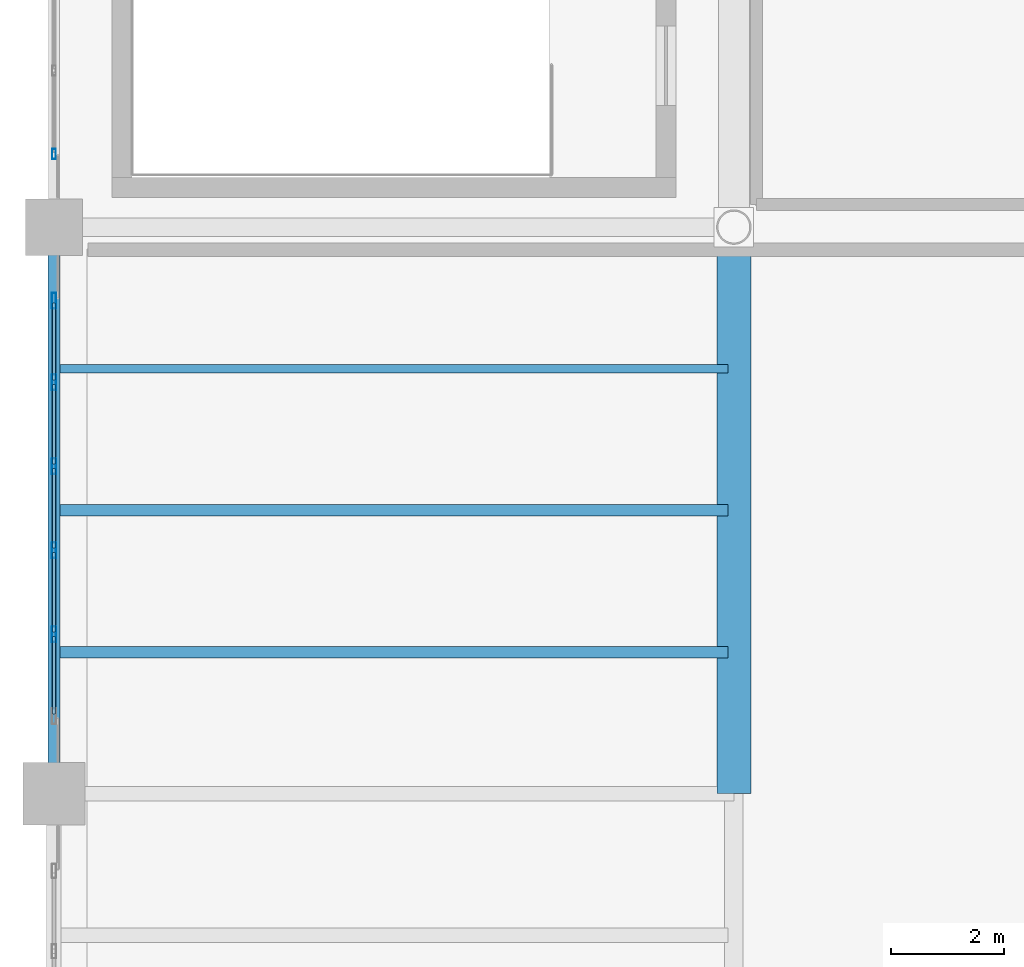
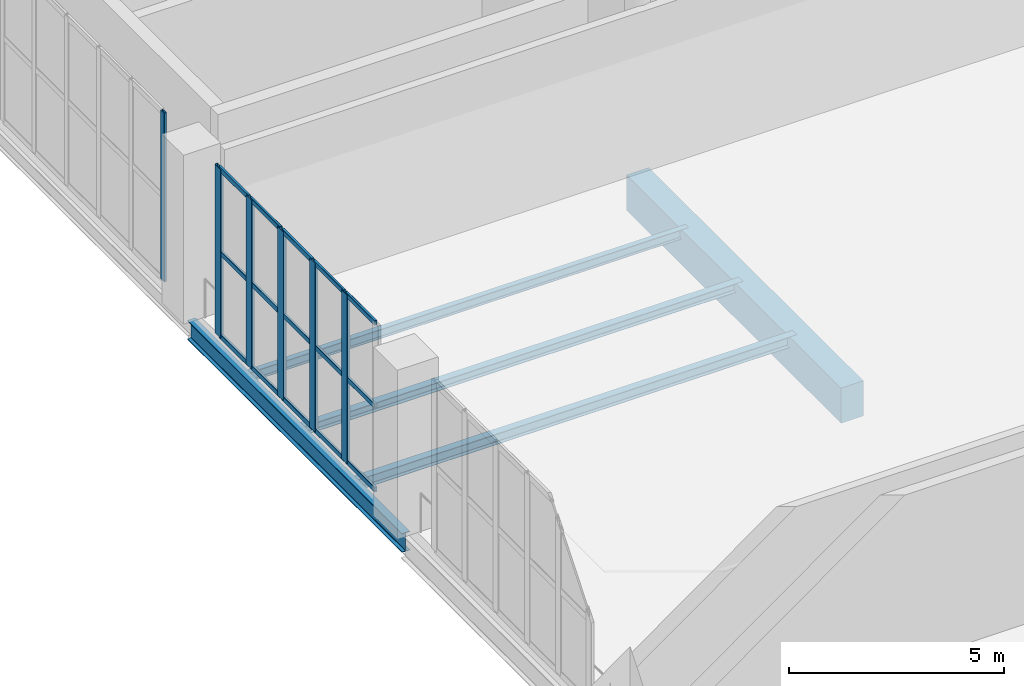
# One storey, part 19 of 49: 21 members, 5 beams, 2 elements without a shape of their own.
"""IFC4 building model written with IfcOpenShell, lengths in metres."""

from ifc_helpers import new_model, si_unit, direction, frame, origin, origin_2d, place, context, subcontext, project, spatial, rectangle, hollow_rectangle, i_section, extrude, material, layer, layer_set, material_profile, profile_set, type_object, element, aggregate, save


model = new_model("IFC4")

# Units and contexts
model_context = context("Model", 3, precision=1e-05, world=origin(), true_north=direction((0.0, 1.0)))
body_context = subcontext(model_context, "Body", "Model", "MODEL_VIEW")
ifc_project = project(units=[si_unit("LENGTHUNIT", "METRE"), si_unit("AREAUNIT", "SQUARE_METRE"), si_unit("VOLUMEUNIT", "CUBIC_METRE"), si_unit("PLANEANGLEUNIT", "RADIAN"), si_unit("MASSUNIT", "GRAM", prefix="KILO")], contexts=[model_context])

# Site, building, storey
site_placement = place(None, origin())
site = spatial("IfcSite", under=ifc_project, at=site_placement, CompositionType="ELEMENT")
building_placement = place(site_placement, origin())
building = spatial("IfcBuilding", under=site, at=building_placement, Name="Brinegate Civic Arena", CompositionType="ELEMENT")
storey_placement = place(building_placement, frame((0.0, 0.0, 24.60009765625)))
storey = spatial("IfcBuildingStorey", under=building, at=storey_placement, Name="L05", CompositionType="ELEMENT", Elevation=24.60009765625)

# Curtain wall, member
ifc_material_1 = material(Name="Marine grade aluminium", Category="aluminium")
ifc_layer = layer(ifc_material_1, 0.199951171875, Name="Marine grade aluminium")
ifc_layer_set = layer_set([ifc_layer], Name="Marine grade aluminium")
curtain_wall_type = type_object("IfcCurtainWallType", Name="CW-BOWL-GLAZED-01", PredefinedType="USERDEFINED", material=ifc_layer_set)
curtain_wall_1_placement = place(storey_placement, origin())
curtain_wall_1 = element("IfcCurtainWall", 1, at=curtain_wall_1_placement, inside=storey, type_object=curtain_wall_type, Name="Curtain Wall CWA-160", ObjectType="GLAZED CURTAIN WALL", PredefinedType="USERDEFINED")
ifc_material_profile_1 = material_profile(ifc_material_1, hollow_rectangle(XDim=0.06494140625, YDim=0.179931640625, WallThickness=0.0048828125, InnerFilletRadius=0.00390625, OuterFilletRadius=0.008056640625, at=origin_2d()), Name="MUL65X180")
ifc_profile_set_1 = profile_set([ifc_material_profile_1], Name="Marine grade aluminium")
member_type_1 = type_object("IfcMemberType", Name="CW-MULLION-65X180", PredefinedType="MULLION", material=ifc_profile_set_1)
member_1_placement = place(storey_placement, frame((48.0, 73.28955078125, 0.0), z_axis=(0.0, 0.0, 1.0), x_axis=(-1.0, 0.0, 0.0)))
member_1 = element("IfcMember", 2, at=member_1_placement, type_object=member_type_1, Name="CWA-160 mullion 1", PredefinedType="MULLION", context=body_context, shape_type="SweptSolid", body=[
    extrude(hollow_rectangle(XDim=0.06494140625, YDim=0.179931640625, WallThickness=0.0048828125, InnerFilletRadius=0.00390625, OuterFilletRadius=0.008056640625, at=origin_2d()), origin(), (0.0, 0.0, 1.0), 4.7998046875),
])
aggregate(curtain_wall_1, [member_1])

# Curtain wall, members
curtain_wall_2_placement = place(storey_placement, origin())
curtain_wall_2 = element("IfcCurtainWall", 3, at=curtain_wall_2_placement, inside=storey, type_object=curtain_wall_type, Name="Curtain Wall CWA-159", ObjectType="GLAZED CURTAIN WALL", PredefinedType="USERDEFINED")
ifc_material_profile_2 = material_profile(ifc_material_1, hollow_rectangle(XDim=0.080078125, YDim=0.280029296875, WallThickness=0.007080078125, InnerFilletRadius=0.0048828125, OuterFilletRadius=0.010009765625, at=origin_2d()), Name="MUL80X280")
ifc_profile_set_2 = profile_set([ifc_material_profile_2], Name="Marine grade aluminium")
member_type_2 = type_object("IfcMemberType", Name="CW-MULLION-80X280", PredefinedType="MULLION", material=ifc_profile_set_2)
member_2_placement = place(storey_placement, frame((48.0, 64.81103515625, 0.0), z_axis=(0.0, 0.0, 1.0), x_axis=(-1.0, 0.0, 0.0)))
member_2 = element("IfcMember", 4, at=member_2_placement, type_object=member_type_2, Name="CWA-159 mullion 2", PredefinedType="MULLION", context=body_context, shape_type="SweptSolid", body=[
    extrude(hollow_rectangle(XDim=0.080078125, YDim=0.280029296875, WallThickness=0.007080078125, InnerFilletRadius=0.0048828125, OuterFilletRadius=0.010009765625, at=origin_2d()), origin(), (0.0, 0.0, 1.0), 4.7998046875),
])
member_3_placement = place(storey_placement, frame((48.0, 66.2939453125, 0.0), z_axis=(0.0, 0.0, 1.0), x_axis=(-1.0, 0.0, 0.0)))
member_3 = element("IfcMember", 5, at=member_3_placement, type_object=member_type_2, Name="CWA-159 mullion 3", PredefinedType="MULLION", context=body_context, shape_type="SweptSolid", body=[
    extrude(hollow_rectangle(XDim=0.080078125, YDim=0.280029296875, WallThickness=0.007080078125, InnerFilletRadius=0.0048828125, OuterFilletRadius=0.010009765625, at=origin_2d()), origin(), (0.0, 0.0, 1.0), 4.7998046875),
])
member_4_placement = place(storey_placement, frame((48.0, 67.777099609375, 0.0), z_axis=(0.0, 0.0, 1.0), x_axis=(-1.0, 0.0, 0.0)))
member_4 = element("IfcMember", 6, at=member_4_placement, type_object=member_type_2, Name="CWA-159 mullion 4", PredefinedType="MULLION", context=body_context, shape_type="SweptSolid", body=[
    extrude(hollow_rectangle(XDim=0.080078125, YDim=0.280029296875, WallThickness=0.007080078125, InnerFilletRadius=0.0048828125, OuterFilletRadius=0.010009765625, at=origin_2d()), origin(), (0.0, 0.0, 1.0), 4.7998046875),
])
member_5_placement = place(storey_placement, frame((48.0, 69.260009765625, 0.0), z_axis=(0.0, 0.0, 1.0), x_axis=(-1.0, 0.0, 0.0)))
member_5 = element("IfcMember", 7, at=member_5_placement, type_object=member_type_2, Name="CWA-159 mullion 5", PredefinedType="MULLION", context=body_context, shape_type="SweptSolid", body=[
    extrude(hollow_rectangle(XDim=0.080078125, YDim=0.280029296875, WallThickness=0.007080078125, InnerFilletRadius=0.0048828125, OuterFilletRadius=0.010009765625, at=origin_2d()), origin(), (0.0, 0.0, 1.0), 4.7998046875),
])
member_6_placement = place(storey_placement, frame((48.0, 70.702880859375, 0.0), z_axis=(0.0, 0.0, 1.0), x_axis=(-1.0, 0.0, 0.0)))
member_6 = element("IfcMember", 8, at=member_6_placement, type_object=member_type_2, Name="CWA-159 mullion 6", PredefinedType="MULLION", context=body_context, shape_type="SweptSolid", body=[
    extrude(hollow_rectangle(XDim=0.080078125, YDim=0.280029296875, WallThickness=0.007080078125, InnerFilletRadius=0.0048828125, OuterFilletRadius=0.010009765625, at=origin_2d()), origin(), (0.0, 0.0, 1.0), 4.7998046875),
])
ifc_material_profile_3 = material_profile(ifc_material_1, hollow_rectangle(XDim=0.06494140625, YDim=0.139892578125, WallThickness=0.0048828125, InnerFilletRadius=0.00390625, OuterFilletRadius=0.008056640625, at=origin_2d()), Name="TRN65X140")
ifc_profile_set_3 = profile_set([ifc_material_profile_3], Name="Marine grade aluminium")
member_type_3 = type_object("IfcMemberType", Name="CW-TRANSOM-65X140", PredefinedType="USERDEFINED", material=ifc_profile_set_3)
member_7_placement = place(storey_placement, frame((48.0, 63.407958984375, 0.032470703125), z_axis=(0.0, 1.0, 0.0), x_axis=(-1.0, 0.0, 0.0)))
member_7 = element("IfcMember", 9, at=member_7_placement, type_object=member_type_3, Name="CWA-159 transom 1.1", ObjectType="TRANSOM", PredefinedType="USERDEFINED", context=body_context, shape_type="SweptSolid", body=[
    extrude(hollow_rectangle(XDim=0.06494140625, YDim=0.139892578125, WallThickness=0.0048828125, InnerFilletRadius=0.00390625, OuterFilletRadius=0.008056640625, at=origin_2d()), origin(), (0.0, 0.0, 1.0), 1.363037109375),
])
member_8_placement = place(storey_placement, frame((48.0, 63.407958984375, 2.39990234375), z_axis=(0.0, 1.0, 0.0), x_axis=(-1.0, 0.0, 0.0)))
member_8 = element("IfcMember", 10, at=member_8_placement, type_object=member_type_3, Name="CWA-159 transom 1.2", ObjectType="TRANSOM", PredefinedType="USERDEFINED", context=body_context, shape_type="SweptSolid", body=[
    extrude(hollow_rectangle(XDim=0.06494140625, YDim=0.139892578125, WallThickness=0.0048828125, InnerFilletRadius=0.00390625, OuterFilletRadius=0.008056640625, at=origin_2d()), origin(), (0.0, 0.0, 1.0), 1.363037109375),
])
member_9_placement = place(storey_placement, frame((48.0, 63.407958984375, 4.767333984375), z_axis=(0.0, 1.0, 0.0), x_axis=(-1.0, 0.0, 0.0)))
member_9 = element("IfcMember", 11, at=member_9_placement, type_object=member_type_3, Name="CWA-159 transom 1.3", ObjectType="TRANSOM", PredefinedType="USERDEFINED", context=body_context, shape_type="SweptSolid", body=[
    extrude(hollow_rectangle(XDim=0.06494140625, YDim=0.139892578125, WallThickness=0.0048828125, InnerFilletRadius=0.00390625, OuterFilletRadius=0.008056640625, at=origin_2d()), origin(), (0.0, 0.0, 1.0), 1.363037109375),
])
member_10_placement = place(storey_placement, frame((48.0, 64.85107421875, 0.032470703125), z_axis=(0.0, 1.0, 0.0), x_axis=(-1.0, 0.0, 0.0)))
member_10 = element("IfcMember", 12, at=member_10_placement, type_object=member_type_3, Name="CWA-159 transom 2.1", ObjectType="TRANSOM", PredefinedType="USERDEFINED", context=body_context, shape_type="SweptSolid", body=[
    extrude(hollow_rectangle(XDim=0.06494140625, YDim=0.139892578125, WallThickness=0.0048828125, InnerFilletRadius=0.00390625, OuterFilletRadius=0.008056640625, at=origin_2d()), origin(), (0.0, 0.0, 1.0), 1.40283203125),
])
member_11_placement = place(storey_placement, frame((48.0, 64.85107421875, 2.39990234375), z_axis=(0.0, 1.0, 0.0), x_axis=(-1.0, 0.0, 0.0)))
member_11 = element("IfcMember", 13, at=member_11_placement, type_object=member_type_3, Name="CWA-159 transom 2.2", ObjectType="TRANSOM", PredefinedType="USERDEFINED", context=body_context, shape_type="SweptSolid", body=[
    extrude(hollow_rectangle(XDim=0.06494140625, YDim=0.139892578125, WallThickness=0.0048828125, InnerFilletRadius=0.00390625, OuterFilletRadius=0.008056640625, at=origin_2d()), origin(), (0.0, 0.0, 1.0), 1.40283203125),
])
member_12_placement = place(storey_placement, frame((48.0, 64.85107421875, 4.767333984375), z_axis=(0.0, 1.0, 0.0), x_axis=(-1.0, 0.0, 0.0)))
member_12 = element("IfcMember", 14, at=member_12_placement, type_object=member_type_3, Name="CWA-159 transom 2.3", ObjectType="TRANSOM", PredefinedType="USERDEFINED", context=body_context, shape_type="SweptSolid", body=[
    extrude(hollow_rectangle(XDim=0.06494140625, YDim=0.139892578125, WallThickness=0.0048828125, InnerFilletRadius=0.00390625, OuterFilletRadius=0.008056640625, at=origin_2d()), origin(), (0.0, 0.0, 1.0), 1.40283203125),
])
member_13_placement = place(storey_placement, frame((48.0, 66.333984375, 0.032470703125), z_axis=(0.0, 1.0, 0.0), x_axis=(-1.0, 0.0, 0.0)))
member_13 = element("IfcMember", 15, at=member_13_placement, type_object=member_type_3, Name="CWA-159 transom 3.1", ObjectType="TRANSOM", PredefinedType="USERDEFINED", context=body_context, shape_type="SweptSolid", body=[
    extrude(hollow_rectangle(XDim=0.06494140625, YDim=0.139892578125, WallThickness=0.0048828125, InnerFilletRadius=0.00390625, OuterFilletRadius=0.008056640625, at=origin_2d()), origin(), (0.0, 0.0, 1.0), 1.403076171875),
])
member_14_placement = place(storey_placement, frame((48.0, 66.333984375, 2.39990234375), z_axis=(0.0, 1.0, 0.0), x_axis=(-1.0, 0.0, 0.0)))
member_14 = element("IfcMember", 16, at=member_14_placement, type_object=member_type_3, Name="CWA-159 transom 3.2", ObjectType="TRANSOM", PredefinedType="USERDEFINED", context=body_context, shape_type="SweptSolid", body=[
    extrude(hollow_rectangle(XDim=0.06494140625, YDim=0.139892578125, WallThickness=0.0048828125, InnerFilletRadius=0.00390625, OuterFilletRadius=0.008056640625, at=origin_2d()), origin(), (0.0, 0.0, 1.0), 1.403076171875),
])
member_15_placement = place(storey_placement, frame((48.0, 66.333984375, 4.767333984375), z_axis=(0.0, 1.0, 0.0), x_axis=(-1.0, 0.0, 0.0)))
member_15 = element("IfcMember", 17, at=member_15_placement, type_object=member_type_3, Name="CWA-159 transom 3.3", ObjectType="TRANSOM", PredefinedType="USERDEFINED", context=body_context, shape_type="SweptSolid", body=[
    extrude(hollow_rectangle(XDim=0.06494140625, YDim=0.139892578125, WallThickness=0.0048828125, InnerFilletRadius=0.00390625, OuterFilletRadius=0.008056640625, at=origin_2d()), origin(), (0.0, 0.0, 1.0), 1.403076171875),
])
member_16_placement = place(storey_placement, frame((48.0, 67.81689453125, 0.032470703125), z_axis=(0.0, 1.0, 0.0), x_axis=(-1.0, 0.0, 0.0)))
member_16 = element("IfcMember", 18, at=member_16_placement, type_object=member_type_3, Name="CWA-159 transom 4.1", ObjectType="TRANSOM", PredefinedType="USERDEFINED", context=body_context, shape_type="SweptSolid", body=[
    extrude(hollow_rectangle(XDim=0.06494140625, YDim=0.139892578125, WallThickness=0.0048828125, InnerFilletRadius=0.00390625, OuterFilletRadius=0.008056640625, at=origin_2d()), origin(), (0.0, 0.0, 1.0), 1.403076171875),
])
member_17_placement = place(storey_placement, frame((48.0, 67.81689453125, 2.39990234375), z_axis=(0.0, 1.0, 0.0), x_axis=(-1.0, 0.0, 0.0)))
member_17 = element("IfcMember", 19, at=member_17_placement, type_object=member_type_3, Name="CWA-159 transom 4.2", ObjectType="TRANSOM", PredefinedType="USERDEFINED", context=body_context, shape_type="SweptSolid", body=[
    extrude(hollow_rectangle(XDim=0.06494140625, YDim=0.139892578125, WallThickness=0.0048828125, InnerFilletRadius=0.00390625, OuterFilletRadius=0.008056640625, at=origin_2d()), origin(), (0.0, 0.0, 1.0), 1.403076171875),
])
member_18_placement = place(storey_placement, frame((48.0, 67.81689453125, 4.767333984375), z_axis=(0.0, 1.0, 0.0), x_axis=(-1.0, 0.0, 0.0)))
member_18 = element("IfcMember", 20, at=member_18_placement, type_object=member_type_3, Name="CWA-159 transom 4.3", ObjectType="TRANSOM", PredefinedType="USERDEFINED", context=body_context, shape_type="SweptSolid", body=[
    extrude(hollow_rectangle(XDim=0.06494140625, YDim=0.139892578125, WallThickness=0.0048828125, InnerFilletRadius=0.00390625, OuterFilletRadius=0.008056640625, at=origin_2d()), origin(), (0.0, 0.0, 1.0), 1.403076171875),
])
member_19_placement = place(storey_placement, frame((48.0, 69.300048828125, 0.032470703125), z_axis=(0.0, 1.0, 0.0), x_axis=(-1.0, 0.0, 0.0)))
member_19 = element("IfcMember", 21, at=member_19_placement, type_object=member_type_3, Name="CWA-159 transom 5.1", ObjectType="TRANSOM", PredefinedType="USERDEFINED", context=body_context, shape_type="SweptSolid", body=[
    extrude(hollow_rectangle(XDim=0.06494140625, YDim=0.139892578125, WallThickness=0.0048828125, InnerFilletRadius=0.00390625, OuterFilletRadius=0.008056640625, at=origin_2d()), origin(), (0.0, 0.0, 1.0), 1.363037109375),
])
member_20_placement = place(storey_placement, frame((48.0, 69.300048828125, 2.39990234375), z_axis=(0.0, 1.0, 0.0), x_axis=(-1.0, 0.0, 0.0)))
member_20 = element("IfcMember", 22, at=member_20_placement, type_object=member_type_3, Name="CWA-159 transom 5.2", ObjectType="TRANSOM", PredefinedType="USERDEFINED", context=body_context, shape_type="SweptSolid", body=[
    extrude(hollow_rectangle(XDim=0.06494140625, YDim=0.139892578125, WallThickness=0.0048828125, InnerFilletRadius=0.00390625, OuterFilletRadius=0.008056640625, at=origin_2d()), origin(), (0.0, 0.0, 1.0), 1.363037109375),
])
member_21_placement = place(storey_placement, frame((48.0, 69.300048828125, 4.767333984375), z_axis=(0.0, 1.0, 0.0), x_axis=(-1.0, 0.0, 0.0)))
member_21 = element("IfcMember", 23, at=member_21_placement, type_object=member_type_3, Name="CWA-159 transom 5.3", ObjectType="TRANSOM", PredefinedType="USERDEFINED", context=body_context, shape_type="SweptSolid", body=[
    extrude(hollow_rectangle(XDim=0.06494140625, YDim=0.139892578125, WallThickness=0.0048828125, InnerFilletRadius=0.00390625, OuterFilletRadius=0.008056640625, at=origin_2d()), origin(), (0.0, 0.0, 1.0), 1.363037109375),
])
aggregate(curtain_wall_2, [member_2, member_3, member_4, member_5, member_6, member_7, member_8, member_9, member_10, member_11, member_12, member_13, member_14, member_15, member_16, member_17, member_18, member_19, member_20, member_21])

# Beams
ifc_material_2 = material(Name="Steel S355", Category="steel")
ifc_material_profile_4 = material_profile(ifc_material_2, i_section(OverallWidth=0.14794921875, OverallDepth=0.26611328125, WebThickness=0.008056640625, FlangeThickness=0.012939453125, FilletRadius=0.011962890625, at=origin_2d()), Name="W250X45")
ifc_profile_set_4 = profile_set([ifc_material_profile_4], Name="Steel S355")
beam_type_1 = type_object("IfcBeamType", Name="JOIST-W250X45", PredefinedType="JOIST", material=ifc_profile_set_4)
beam_1_placement = place(storey_placement, frame((48.10595703125, 69.5, -0.463134765625), z_axis=(1.0, 0.0, 0.0), x_axis=(0.0, 1.0, 0.0)))
element("IfcBeam", 24, at=beam_1_placement, inside=storey, type_object=beam_type_1, Name="Secondary Joist BM-L05-JX-04-06-3", PredefinedType="JOIST", context=body_context, shape_type="SweptSolid", body=[
    extrude(i_section(OverallWidth=0.14794921875, OverallDepth=0.26611328125, WebThickness=0.008056640625, FlangeThickness=0.012939453125, FilletRadius=0.011962890625, at=origin_2d()), origin(), (0.0, 0.0, 1.0), 11.7880859375),
])
ifc_material_profile_5 = material_profile(ifc_material_2, i_section(OverallWidth=0.202880859375, OverallDepth=0.251953125, WebThickness=0.008056640625, FlangeThickness=0.013916015625, FilletRadius=0.011962890625, at=origin_2d()), Name="W250X58")
ifc_profile_set_5 = profile_set([ifc_material_profile_5], Name="Steel S355")
beam_type_2 = type_object("IfcBeamType", Name="JOIST-W250X58", PredefinedType="JOIST", material=ifc_profile_set_5)
beam_2_placement = place(storey_placement, frame((48.10595703125, 67.0, -0.4560546875), z_axis=(1.0, 0.0, 0.0), x_axis=(0.0, 1.0, 0.0)))
element("IfcBeam", 25, at=beam_2_placement, inside=storey, type_object=beam_type_2, Name="Secondary Joist BM-L05-JX-04-06-2", PredefinedType="JOIST", context=body_context, shape_type="SweptSolid", body=[
    extrude(i_section(OverallWidth=0.202880859375, OverallDepth=0.251953125, WebThickness=0.008056640625, FlangeThickness=0.013916015625, FilletRadius=0.011962890625, at=origin_2d()), origin(), (0.0, 0.0, 1.0), 11.7880859375),
])
ifc_material_profile_6 = material_profile(ifc_material_2, i_section(OverallWidth=0.202880859375, OverallDepth=0.302978515625, WebThickness=0.008056640625, FlangeThickness=0.012939453125, FilletRadius=0.012939453125, at=origin_2d()), Name="W310X60")
ifc_profile_set_6 = profile_set([ifc_material_profile_6], Name="Steel S355")
beam_type_3 = type_object("IfcBeamType", Name="JOIST-W310X60", PredefinedType="JOIST", material=ifc_profile_set_6)
beam_3_placement = place(storey_placement, frame((48.10595703125, 64.5, -0.481201171875), z_axis=(1.0, 0.0, 0.0), x_axis=(0.0, 1.0, 0.0)))
element("IfcBeam", 26, at=beam_3_placement, inside=storey, type_object=beam_type_3, Name="Secondary Joist BM-L05-JX-04-06-1", PredefinedType="JOIST", context=body_context, shape_type="SweptSolid", body=[
    extrude(i_section(OverallWidth=0.202880859375, OverallDepth=0.302978515625, WebThickness=0.008056640625, FlangeThickness=0.012939453125, FilletRadius=0.012939453125, at=origin_2d()), origin(), (0.0, 0.0, 1.0), 11.7880859375),
])
ifc_material_3 = material(Name="Concrete C50/60", Category="concrete")
ifc_material_profile_7 = material_profile(ifc_material_3, rectangle(XDim=0.60009765625, YDim=1.0, at=origin_2d()), Name="RCB600X1000")
ifc_profile_set_7 = profile_set([ifc_material_profile_7], Name="Concrete C50/60")
beam_type_4 = type_object("IfcBeamType", Name="RCG-600X1000", PredefinedType="BEAM", material=ifc_profile_set_7)
beam_4_placement = place(storey_placement, frame((60.0, 62.0, -0.830078125), z_axis=(0.0, 1.0, 0.0), x_axis=(-1.0, 0.0, 0.0)))
element("IfcBeam", 27, at=beam_4_placement, inside=storey, type_object=beam_type_4, Name="Floor Girder BM-L05-GY-05-06", PredefinedType="BEAM", context=body_context, shape_type="SweptSolid", body=[
    extrude(rectangle(XDim=0.60009765625, YDim=1.0, at=origin_2d()), origin(), (0.0, 0.0, 1.0), 10.0),
])
ifc_material_profile_8 = material_profile(ifc_material_2, i_section(OverallWidth=0.2119140625, OverallDepth=0.5439453125, WebThickness=0.012939453125, FlangeThickness=0.02099609375, FilletRadius=0.01611328125, at=origin_2d()), Name="W530X123")
ifc_profile_set_8 = profile_set([ifc_material_profile_8], Name="Steel S355")
beam_type_5 = type_object("IfcBeamType", Name="SPANDREL-W530X123", PredefinedType="SPANDREL", material=ifc_profile_set_8)
beam_5_placement = place(storey_placement, frame((48.0, 62.0, -0.60205078125), z_axis=(0.0, 1.0, 0.0), x_axis=(-1.0, 0.0, 0.0)))
element("IfcBeam", 28, at=beam_5_placement, inside=storey, type_object=beam_type_5, Name="Floor Girder BM-L05-GY-04-06", PredefinedType="SPANDREL", context=body_context, shape_type="SweptSolid", body=[
    extrude(i_section(OverallWidth=0.2119140625, OverallDepth=0.5439453125, WebThickness=0.012939453125, FlangeThickness=0.02099609375, FilletRadius=0.01611328125, at=origin_2d()), origin(), (0.0, 0.0, 1.0), 10.0),
])

save(model, "model.ifc")
